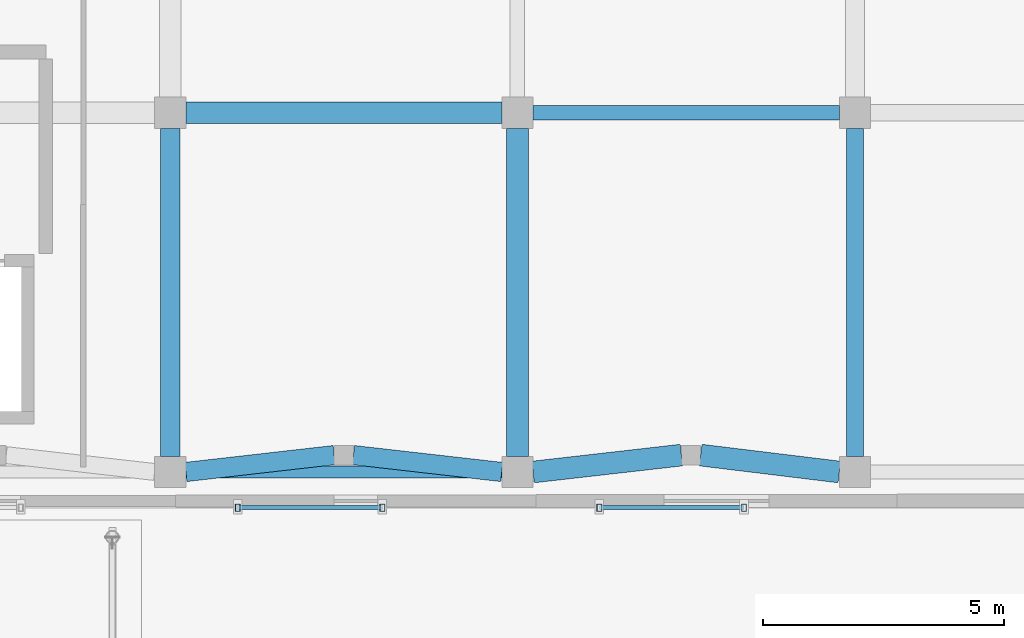
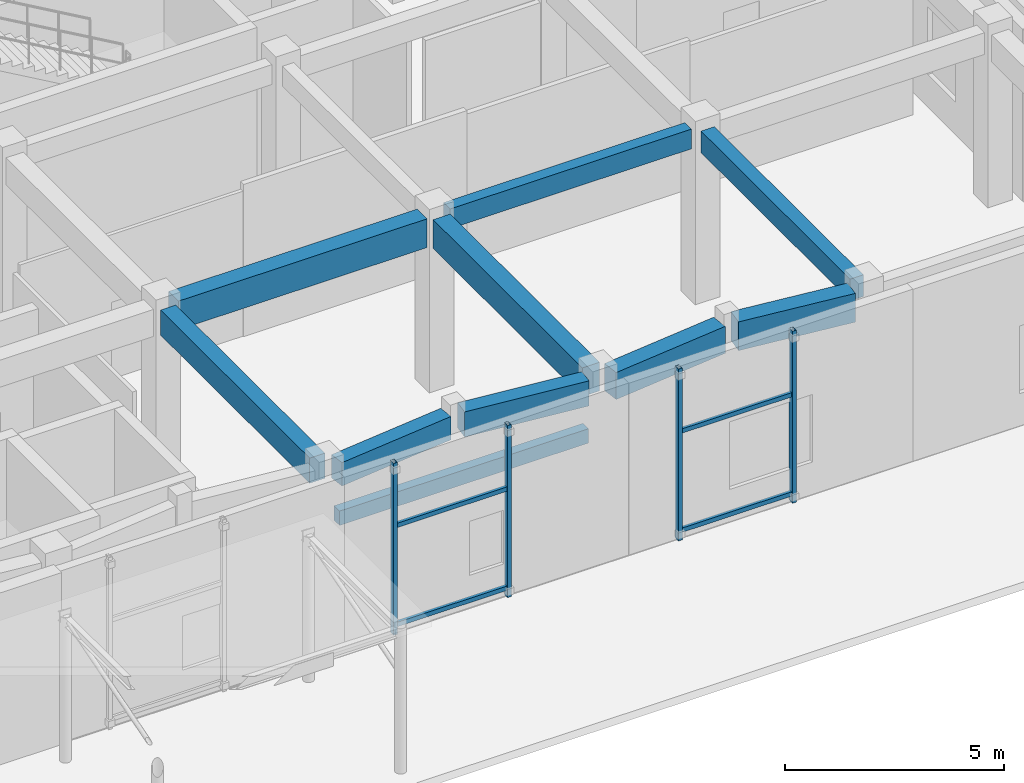
# One storey, part 18 of 121: 10 beams, 8 members.
"""IFC4 building model written with IfcOpenShell, lengths in metres."""

from ifc_helpers import new_model, si_unit, direction, frame, origin, origin_2d, place, context, subcontext, project, spatial, rectangle, hollow_rectangle, extrude, material, material_profile, profile_set, type_object, element, save


model = new_model("IFC4")

# Units and contexts
model_context = context("Model", 3, precision=1e-05, world=origin(), true_north=direction((0.0, 1.0)))
body_context = subcontext(model_context, "Body", "Model", "MODEL_VIEW")
ifc_project = project(units=[si_unit("LENGTHUNIT", "METRE"), si_unit("AREAUNIT", "SQUARE_METRE"), si_unit("VOLUMEUNIT", "CUBIC_METRE"), si_unit("PLANEANGLEUNIT", "RADIAN"), si_unit("MASSUNIT", "GRAM", prefix="KILO")], contexts=[model_context])

# Site, building, storey
site_placement = place(None, origin())
site = spatial("IfcSite", under=ifc_project, at=site_placement, CompositionType="ELEMENT")
building_placement = place(site_placement, origin())
building = spatial("IfcBuilding", under=site, at=building_placement, Name="Valcora Specialist Clinic", CompositionType="ELEMENT")
storey_placement = place(building_placement, origin())
storey = spatial("IfcBuildingStorey", under=building, at=storey_placement, Name="L00", CompositionType="ELEMENT", Elevation=0.0)

# Beams
ifc_material_1 = material(Name="Concrete C40/50", Category="concrete")
ifc_material_profile_1 = material_profile(ifc_material_1, rectangle(XDim=0.300048828125, YDim=0.550048828125, at=origin_2d()), Name="RC-BM-300X550")
ifc_profile_set_1 = profile_set([ifc_material_profile_1], Name="Concrete C40/50")
beam_type_1 = type_object("IfcBeamType", Name="TY-BM-RC300X550", PredefinedType="BEAM", material=ifc_profile_set_1)
beam_1_placement = place(storey_placement, frame((38.125, 8.199951171875, 4.510009765625), z_axis=(1.0, 0.0, 0.0), x_axis=(0.0, 1.0, 0.0)))
element("IfcBeam", 1, at=beam_1_placement, inside=storey, type_object=beam_type_1, Name="Beam BM-L00-0895", PredefinedType="BEAM", context=body_context, shape_type="SweptSolid", body=[
    extrude(rectangle(XDim=0.300048828125, YDim=0.550048828125, at=origin_2d()), origin(), (0.0, 0.0, 1.0), 6.35009765625),
])
ifc_material_profile_2 = material_profile(ifc_material_1, rectangle(XDim=0.35009765625, YDim=0.60009765625, at=origin_2d()), Name="RC-BM-350X600")
ifc_profile_set_2 = profile_set([ifc_material_profile_2], Name="Concrete C40/50")
beam_type_2 = type_object("IfcBeamType", Name="TY-BM-RC350X600", PredefinedType="BEAM", material=ifc_profile_set_2)
beam_2_placement = place(storey_placement, frame((44.800048828125, 1.074951171875, 4.485107421875), z_axis=(0.0, 1.0, 0.0), x_axis=(-1.0, 0.0, 0.0)))
element("IfcBeam", 2, at=beam_2_placement, inside=storey, type_object=beam_type_2, Name="Beam BM-L00-0924", PredefinedType="BEAM", context=body_context, shape_type="SweptSolid", body=[
    extrude(rectangle(XDim=0.35009765625, YDim=0.60009765625, at=origin_2d()), origin(), (0.0, 0.0, 1.0), 6.800048828125),
])
ifc_material_profile_3 = material_profile(ifc_material_1, rectangle(XDim=0.39990234375, YDim=0.64990234375, at=origin_2d()), Name="RC-BM-400X650")
ifc_profile_set_3 = profile_set([ifc_material_profile_3], Name="Concrete C40/50")
beam_type_3 = type_object("IfcBeamType", Name="TY-BM-RC400X650", PredefinedType="BEAM", material=ifc_profile_set_3)
beam_3_placement = place(storey_placement, frame((30.925048828125, 0.75, 4.4599609375), z_axis=(0.993580893822, 0.113123858812, 0.0), x_axis=(-0.113123858812, 0.993580893822, 0.0)))
element("IfcBeam", 3, at=beam_3_placement, inside=storey, type_object=beam_type_3, Name="Beam BM-L00-0885", PredefinedType="BEAM", context=body_context, shape_type="SweptSolid", body=[
    extrude(rectangle(XDim=0.39990234375, YDim=0.64990234375, at=origin_2d()), origin(), (0.0, 0.0, 1.0), 3.0947265625),
])
ifc_material_profile_4 = material_profile(ifc_material_1, rectangle(XDim=0.39990234375, YDim=0.699951171875, at=origin_2d()), Name="RC-BM-400X700")
ifc_profile_set_4 = profile_set([ifc_material_profile_4], Name="Concrete C40/50")
beam_type_4 = type_object("IfcBeamType", Name="TY-BM-RC400X700", PredefinedType="BEAM", material=ifc_profile_set_4)
beam_4_placement = place(storey_placement, frame((34.39990234375, 1.10009765625, 4.43505859375), z_axis=(0.99358190322, -0.113114992793, 0.0), x_axis=(0.113114992793, 0.99358190322, 0.0)))
element("IfcBeam", 4, at=beam_4_placement, inside=storey, type_object=beam_type_4, Name="Beam BM-L00-0886", PredefinedType="BEAM", context=body_context, shape_type="SweptSolid", body=[
    extrude(rectangle(XDim=0.39990234375, YDim=0.699951171875, at=origin_2d()), origin(), (0.0, 0.0, 1.0), 3.094970703125),
])
beam_5_placement = place(storey_placement, frame((30.60009765625, 1.074951171875, 4.43505859375), z_axis=(0.0, 1.0, 0.0), x_axis=(-1.0, 0.0, 0.0)))
element("IfcBeam", 5, at=beam_5_placement, inside=storey, type_object=beam_type_4, Name="Beam BM-L00-0920", PredefinedType="BEAM", context=body_context, shape_type="SweptSolid", body=[
    extrude(rectangle(XDim=0.39990234375, YDim=0.699951171875, at=origin_2d()), origin(), (0.0, 0.0, 1.0), 6.800048828125),
])
ifc_material_profile_5 = material_profile(ifc_material_1, rectangle(XDim=0.449951171875, YDim=0.75, at=origin_2d()), Name="RC-BM-450X750")
ifc_profile_set_5 = profile_set([ifc_material_profile_5], Name="Concrete C40/50")
beam_type_5 = type_object("IfcBeamType", Name="TY-BM-RC450X750", PredefinedType="BEAM", material=ifc_profile_set_5)
beam_6_placement = place(storey_placement, frame((38.125, 0.75, 4.409912109375), z_axis=(0.993580893822, 0.113123858812, 0.0), x_axis=(-0.113123858812, 0.993580893822, 0.0)))
element("IfcBeam", 6, at=beam_6_placement, inside=storey, type_object=beam_type_5, Name="Beam BM-L00-0887", PredefinedType="BEAM", context=body_context, shape_type="SweptSolid", body=[
    extrude(rectangle(XDim=0.449951171875, YDim=0.75, at=origin_2d()), origin(), (0.0, 0.0, 1.0), 3.0947265625),
])
ifc_material_profile_6 = material_profile(ifc_material_1, rectangle(XDim=0.449951171875, YDim=0.800048828125, at=origin_2d()), Name="RC-BM-450X800")
ifc_profile_set_6 = profile_set([ifc_material_profile_6], Name="Concrete C40/50")
beam_type_6 = type_object("IfcBeamType", Name="TY-BM-RC450X800", PredefinedType="BEAM", material=ifc_profile_set_6)
beam_7_placement = place(storey_placement, frame((41.60009765625, 1.10009765625, 4.385009765625), z_axis=(0.992667109146, -0.120880148991, 0.0), x_axis=(0.120880148991, 0.992667109146, 0.0)))
element("IfcBeam", 7, at=beam_7_placement, inside=storey, type_object=beam_type_6, Name="Beam BM-L00-0888", PredefinedType="BEAM", context=body_context, shape_type="SweptSolid", body=[
    extrude(rectangle(XDim=0.449951171875, YDim=0.800048828125, at=origin_2d()), origin(), (0.0, 0.0, 1.0), 2.896240234375),
])
beam_8_placement = place(storey_placement, frame((30.925048828125, 8.199951171875, 4.385009765625), z_axis=(1.0, 0.0, 0.0), x_axis=(0.0, 1.0, 0.0)))
element("IfcBeam", 8, at=beam_8_placement, inside=storey, type_object=beam_type_6, Name="Beam BM-L00-0894", PredefinedType="BEAM", context=body_context, shape_type="SweptSolid", body=[
    extrude(rectangle(XDim=0.449951171875, YDim=0.800048828125, at=origin_2d()), origin(), (0.0, 0.0, 1.0), 6.550048828125),
])
beam_9_placement = place(storey_placement, frame((37.800048828125, 1.074951171875, 4.385009765625), z_axis=(0.0, 1.0, 0.0), x_axis=(-1.0, 0.0, 0.0)))
element("IfcBeam", 9, at=beam_9_placement, inside=storey, type_object=beam_type_6, Name="Beam BM-L00-0922", PredefinedType="BEAM", context=body_context, shape_type="SweptSolid", body=[
    extrude(rectangle(XDim=0.449951171875, YDim=0.800048828125, at=origin_2d()), origin(), (0.0, 0.0, 1.0), 6.800048828125),
])
ifc_material_profile_7 = material_profile(ifc_material_1, rectangle(XDim=0.25, YDim=0.39990234375, at=origin_2d()), Name="RC-LN-250X400")
ifc_profile_set_7 = profile_set([ifc_material_profile_7], Name="Concrete C40/50")
beam_type_7 = type_object("IfcBeamType", Name="TY-LN-RC250X400", PredefinedType="LINTEL", material=ifc_profile_set_7)
beam_10_placement = place(storey_placement, frame((30.925048828125, 0.75, 3.199951171875), z_axis=(1.0, 0.0, 0.0), x_axis=(0.0, 1.0, 0.0)))
element("IfcBeam", 10, at=beam_10_placement, inside=storey, type_object=beam_type_7, Name="Facade lintel 3 BM-L00-1642", PredefinedType="LINTEL", context=body_context, shape_type="SweptSolid", body=[
    extrude(rectangle(XDim=0.25, YDim=0.39990234375, at=origin_2d()), origin(), (0.0, 0.0, 1.0), 6.550048828125),
])

# Members
ifc_material_2 = material(Name="Steel ASTM A500 Grade C", Category="steel")
ifc_material_profile_8 = material_profile(ifc_material_2, hollow_rectangle(XDim=0.10009765625, YDim=0.14990234375, WallThickness=0.006103515625, at=origin_2d()), Name="ST-RHS-150X100X6")
ifc_profile_set_8 = profile_set([ifc_material_profile_8], Name="Steel ASTM A500 Grade C")
member_type_1 = type_object("IfcMemberType", Name="TY-MB-SFPOST", PredefinedType="POST", material=ifc_profile_set_8)
for number, where, z_axis, x_axis, name in (
    (11, (32.0, 0.010009765625, 0.0), (0.0, 0.0, 1.0), (1.0, 0.0, 0.0), "Brick screen carrier post 9"),
    (12, (35.0, 0.010009765625, 0.0), (0.0, 0.0, 1.0), (1.0, 0.0, 0.0), "Brick screen carrier post 10"),
    (13, (39.5, 0.010009765625, 0.0), (0.0, 0.0, 1.0), (1.0, 0.0, 0.0), "Brick screen carrier post 13"),
    (14, (42.5, 0.010009765625, 0.0), (0.0, 0.0, 1.0), (1.0, 0.0, 0.0), "Brick screen carrier post 14"),
):
    element("IfcMember", number, at=place(storey_placement, frame(where, z_axis=z_axis, x_axis=x_axis)), inside=storey, type_object=member_type_1, Name=name, PredefinedType="POST", context=body_context, shape_type="SweptSolid", body=[
        extrude(hollow_rectangle(XDim=0.10009765625, YDim=0.14990234375, WallThickness=0.006103515625, at=origin_2d()), origin(), (0.0, 0.0, 1.0), 4.784912109375),
    ])
ifc_material_profile_9 = material_profile(ifc_material_2, hollow_rectangle(XDim=0.080078125, YDim=0.1201171875, WallThickness=0.0048828125, at=origin_2d()), Name="ST-RHS-120X80X5")
ifc_profile_set_9 = profile_set([ifc_material_profile_9], Name="Steel ASTM A500 Grade C")
member_type_2 = type_object("IfcMemberType", Name="TY-MB-SFRAIL", PredefinedType="STRINGER", material=ifc_profile_set_9)
for number, where, z_axis, x_axis, name in (
    (15, (32.0, 0.010009765625, 0.239990234375), (1.0, 0.0, 0.0), (0.0, 1.0, 0.0), "Brick screen carrier rail 11"),
    (16, (32.0, 0.010009765625, 3.0), (1.0, 0.0, 0.0), (0.0, 1.0, 0.0), "Brick screen carrier rail 12"),
    (17, (39.5, 0.010009765625, 0.239990234375), (1.0, 0.0, 0.0), (0.0, 1.0, 0.0), "Brick screen carrier rail 15"),
    (18, (39.5, 0.010009765625, 3.0), (1.0, 0.0, 0.0), (0.0, 1.0, 0.0), "Brick screen carrier rail 16"),
):
    element("IfcMember", number, at=place(storey_placement, frame(where, z_axis=z_axis, x_axis=x_axis)), inside=storey, type_object=member_type_2, Name=name, PredefinedType="STRINGER", context=body_context, shape_type="SweptSolid", body=[
        extrude(hollow_rectangle(XDim=0.080078125, YDim=0.1201171875, WallThickness=0.0048828125, at=origin_2d()), origin(), (0.0, 0.0, 1.0), 3.0),
    ])

save(model, "model.ifc")
